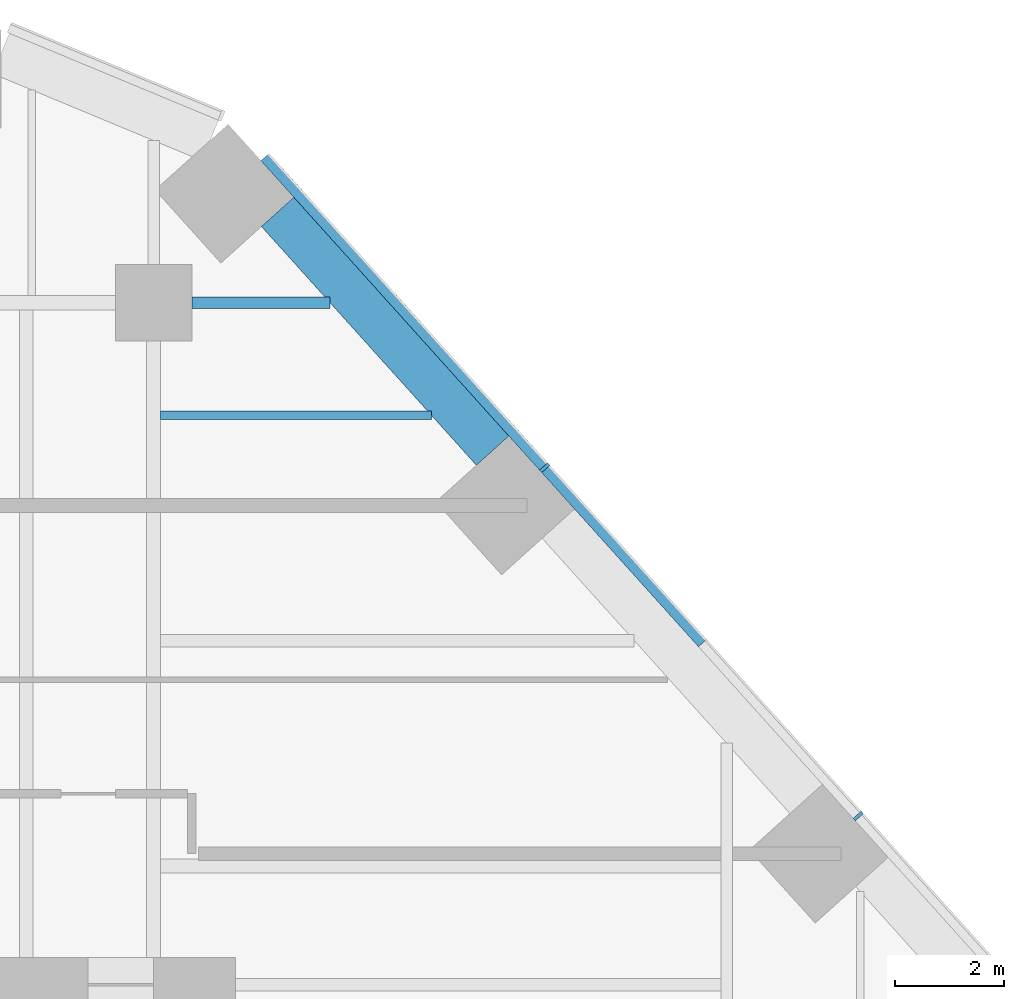
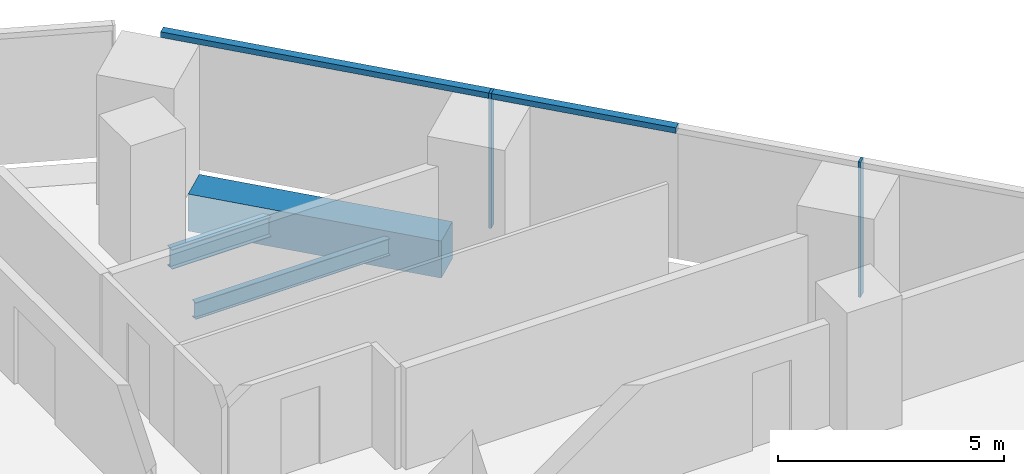
# One storey, part 11 of 28: 4 members, 3 beams, 1 element without a shape of its own.
"""IFC4 building model written with IfcOpenShell, lengths in metres."""

from ifc_helpers import new_model, si_unit, direction, frame, origin, origin_2d, place, context, subcontext, project, spatial, rectangle, i_section, extrude, material, layer, layer_set, material_profile, profile_set, type_object, element, aggregate, save


model = new_model("IFC4")

# Units and contexts
model_context = context("Model", 3, precision=1e-05, world=origin(), true_north=direction((0.0, 1.0)))
body_context = subcontext(model_context, "Body", "Model", "MODEL_VIEW")
ifc_project = project(units=[si_unit("LENGTHUNIT", "METRE"), si_unit("AREAUNIT", "SQUARE_METRE"), si_unit("VOLUMEUNIT", "CUBIC_METRE"), si_unit("PLANEANGLEUNIT", "RADIAN"), si_unit("MASSUNIT", "GRAM", prefix="KILO")], contexts=[model_context])

# Site, building, storey
site_placement = place(None, origin())
site = spatial("IfcSite", under=ifc_project, at=site_placement, CompositionType="ELEMENT")
building_placement = place(site_placement, origin())
building = spatial("IfcBuilding", under=site, at=building_placement, Name="Isthmus Gate Tower", CompositionType="ELEMENT")
storey_placement = place(building_placement, frame((0.0, 0.0, 68.85009765625)))
storey = spatial("IfcBuildingStorey", under=building, at=storey_placement, Name="L15", CompositionType="ELEMENT", Elevation=68.85009765625)

# Curtain wall, members
ifc_material_1 = material(Name="Aluminium, pale champagne anodised", Category="aluminium")
ifc_layer = layer(ifc_material_1, 0.199951171875)
ifc_layer_set = layer_set([ifc_layer], Name="CW-1 UNITISED CURTAIN WALL 200 DEEP")
curtain_wall_type = type_object("IfcCurtainWallType", Name="CW-1 UNITISED CURTAIN WALL 200 DEEP", PredefinedType="NOTDEFINED", material=ifc_layer_set)
curtain_wall_placement = place(storey_placement, origin())
curtain_wall = element("IfcCurtainWall", 1, at=curtain_wall_placement, inside=storey, type_object=curtain_wall_type, Name="CW-1 NE L15", PredefinedType="NOTDEFINED")
ifc_material_2 = material(Name="Aluminium, pale champagne anodised", Category="aluminium")
ifc_material_profile_1 = material_profile(ifc_material_2, rectangle(XDim=0.06005859375, YDim=0.199951171875, at=origin_2d()), Name="60x200")
ifc_profile_set_1 = profile_set([ifc_material_profile_1], Name="Aluminium, pale champagne anodised")
member_type_1 = type_object("IfcMemberType", Name="CW-1 MULLION 60 X 200", PredefinedType="MULLION", material=ifc_profile_set_1)
member_1_placement = place(storey_placement, frame((26.4140625, 17.591796875, 0.0), z_axis=(0.0, 0.0, 1.0), x_axis=(-0.669130606359, 0.743144825477, 0.0)))
member_1 = element("IfcMember", 2, at=member_1_placement, type_object=member_type_1, Name="CW-1 mullion", PredefinedType="MULLION", context=body_context, shape_type="SweptSolid", body=[
    extrude(rectangle(XDim=0.06005859375, YDim=0.199951171875, at=origin_2d()), origin(), (0.0, 0.0, 1.0), 3.64990234375),
])
member_2_placement = place(storey_placement, frame((20.666748046875, 23.974853515625, 0.0), z_axis=(0.0, 0.0, 1.0), x_axis=(-0.669130606359, 0.743144825477, 0.0)))
member_2 = element("IfcMember", 3, at=member_2_placement, type_object=member_type_1, Name="CW-1 mullion", PredefinedType="MULLION", context=body_context, shape_type="SweptSolid", body=[
    extrude(rectangle(XDim=0.06005859375, YDim=0.199951171875, at=origin_2d()), origin(), (0.0, 0.0, 1.0), 3.64990234375),
])
ifc_material_3 = material(Name="Aluminium, pale champagne anodised", Category="aluminium")
ifc_material_profile_2 = material_profile(ifc_material_3, rectangle(XDim=0.199951171875, YDim=0.14990234375, at=origin_2d()), Name="200x150")
ifc_profile_set_2 = profile_set([ifc_material_profile_2], Name="Aluminium, pale champagne anodised")
member_type_2 = type_object("IfcMemberType", Name="CW-1 TRANSOM 200 X 150", PredefinedType="USERDEFINED", material=ifc_profile_set_2)
member_3_placement = place(storey_placement, frame((23.560546875, 20.760986328125, 3.574951171875), z_axis=(-0.669131169216, 0.743144318678, 0.0), x_axis=(-0.743144318678, -0.669131169216, 0.0)))
member_3 = element("IfcMember", 4, at=member_3_placement, type_object=member_type_2, Name="CW-1 transom", ObjectType="TRANSOM", PredefinedType="USERDEFINED", context=body_context, shape_type="SweptSolid", body=[
    extrude(rectangle(XDim=0.199951171875, YDim=0.14990234375, at=origin_2d()), origin(), (0.0, 0.0, 1.0), 4.294677734375),
])
member_4_placement = place(storey_placement, frame((20.646728515625, 23.997314453125, 3.574951171875), z_axis=(-0.66912913739, 0.74314614814, 0.0), x_axis=(-0.74314614814, -0.66912913739, 0.0)))
member_4 = element("IfcMember", 5, at=member_4_placement, type_object=member_type_2, Name="CW-1 transom", ObjectType="TRANSOM", PredefinedType="USERDEFINED", context=body_context, shape_type="SweptSolid", body=[
    extrude(rectangle(XDim=0.199951171875, YDim=0.14990234375, at=origin_2d()), origin(), (0.0, 0.0, 1.0), 7.62939453125),
])
aggregate(curtain_wall, [member_1, member_3, member_2, member_4])

# Beams
ifc_material_4 = material(Name="Concrete f'c 70 MPa", Category="concrete")
ifc_material_profile_3 = material_profile(ifc_material_4, rectangle(XDim=0.800048828125, YDim=1.0, at=origin_2d()), Name="RC 800X1000")
ifc_profile_set_3 = profile_set([ifc_material_profile_3], Name="Concrete f'c 70 MPa")
beam_type_1 = type_object("IfcBeamType", Name="RC SPANDREL 800 X 1000", PredefinedType="SPANDREL", material=ifc_profile_set_3)
beam_1_placement = place(storey_placement, frame((15.772216796875, 28.66357421875, -0.5), z_axis=(0.669141061586, -0.743135411415, 0.0), x_axis=(0.743135411415, 0.669141061586, 0.0)))
element("IfcBeam", 6, at=beam_1_placement, inside=storey, type_object=beam_type_1, Name="str-spandrel-L15-01", PredefinedType="SPANDREL", context=body_context, shape_type="SweptSolid", body=[
    extrude(rectangle(XDim=0.800048828125, YDim=1.0, at=origin_2d()), origin(), (0.0, 0.0, 1.0), 5.889404296875),
])
ifc_material_5 = material(Name="Structural steel ASTM A992 Gr 50", Category="steel")
ifc_material_profile_4 = material_profile(ifc_material_5, i_section(OverallWidth=0.15234375, OverallDepth=0.45068359375, WebThickness=0.0078125, FlangeThickness=0.010986328125, at=origin_2d()), Name="W18X35")
ifc_profile_set_4 = profile_set([ifc_material_profile_4], Name="Structural steel ASTM A992 Gr 50")
beam_type_2 = type_object("IfcBeamType", Name="STEEL FLOOR BEAM W18X35", PredefinedType="JOIST", material=ifc_profile_set_4)
beam_2_placement = place(storey_placement, frame((13.626953125, 24.935791015625, -0.37548828125), z_axis=(1.0, 0.0, 0.0), x_axis=(0.0, 1.0, 0.0)))
element("IfcBeam", 7, at=beam_2_placement, inside=storey, type_object=beam_type_2, Name="str-beam-L15-30-02", PredefinedType="JOIST", context=body_context, shape_type="SweptSolid", body=[
    extrude(i_section(OverallWidth=0.15234375, OverallDepth=0.45068359375, WebThickness=0.0078125, FlangeThickness=0.010986328125, at=origin_2d()), origin(), (0.0, 0.0, 1.0), 4.963623046875),
])
ifc_material_6 = material(Name="Structural steel ASTM A992 Gr 50", Category="steel")
ifc_material_profile_5 = material_profile(ifc_material_6, i_section(OverallWidth=0.20947265625, OverallDepth=0.533447265625, WebThickness=0.009521484375, FlangeThickness=0.015869140625, at=origin_2d()), Name="W21X62")
ifc_profile_set_5 = profile_set([ifc_material_profile_5], Name="Structural steel ASTM A992 Gr 50")
beam_type_3 = type_object("IfcBeamType", Name="STEEL GIRDER W21X62", PredefinedType="BEAM", material=ifc_profile_set_5)
beam_3_placement = place(storey_placement, frame((14.199951171875, 27.0, -0.416748046875), z_axis=(1.0, 0.0, 0.0), x_axis=(0.0, 1.0, 0.0)))
element("IfcBeam", 8, at=beam_3_placement, inside=storey, type_object=beam_type_3, Name="str-girder-L15-19", PredefinedType="BEAM", context=body_context, shape_type="SweptSolid", body=[
    extrude(i_section(OverallWidth=0.20947265625, OverallDepth=0.533447265625, WebThickness=0.009521484375, FlangeThickness=0.015869140625, at=origin_2d()), origin(), (0.0, 0.0, 1.0), 2.531982421875),
])

save(model, "model.ifc")
